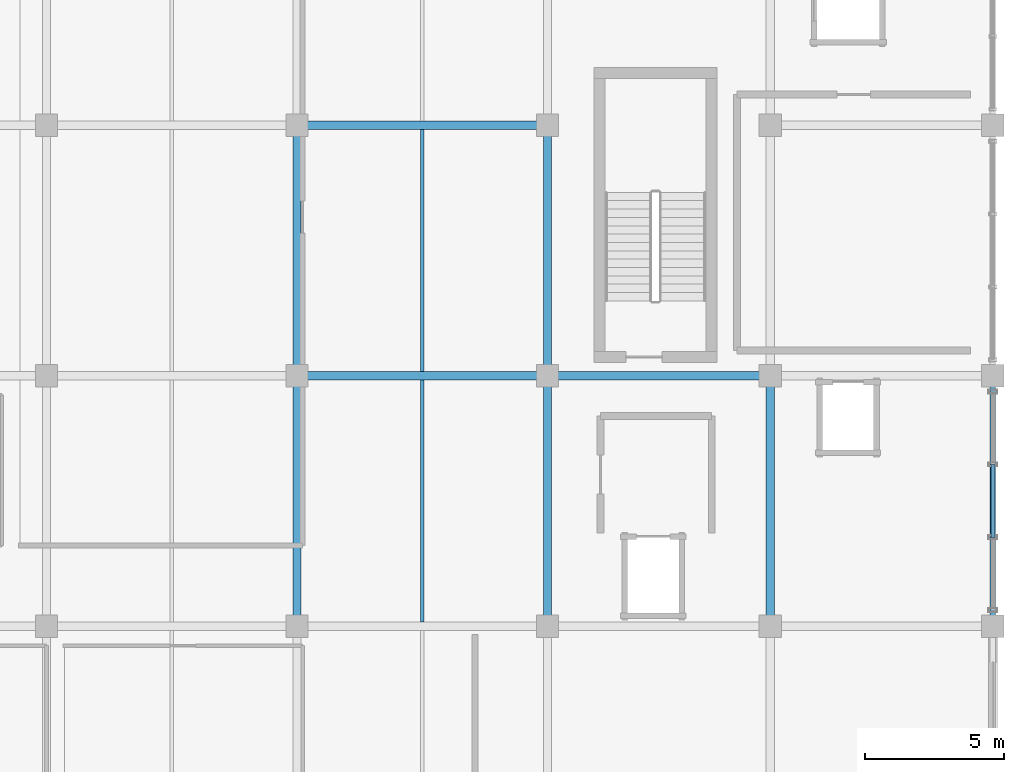
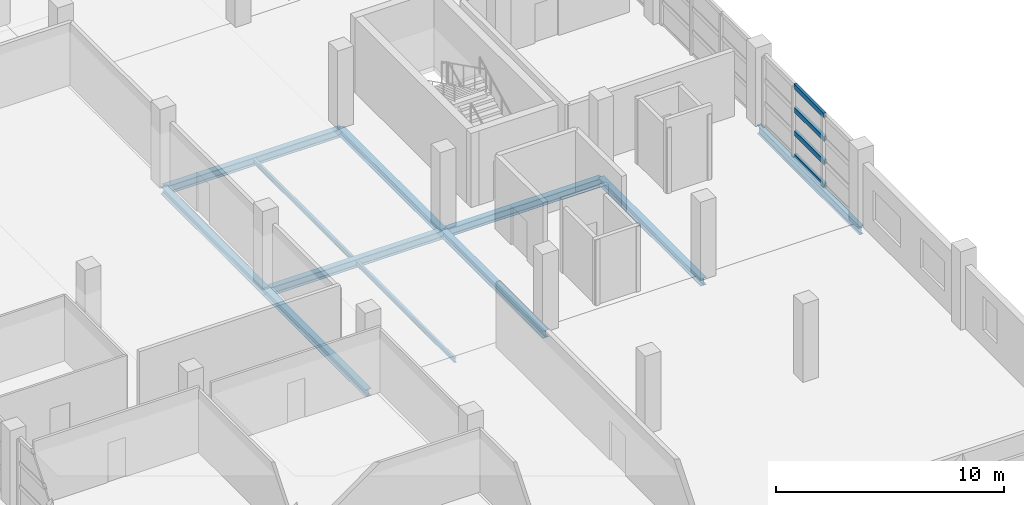
# One storey, part 84 of 136: 11 beams, 4 members, 1 element without a shape of its own.
"""IFC4 building model written with IfcOpenShell, lengths in metres."""

import ifcopenshell
import ifcopenshell.guid

model = None  # the IFC model being written
_history = None  # IfcOwnerHistory: only IFC2X3 demands one
_inside = {}  # id of a spatial element -> (the spatial element, [elements in it])
_under = {}  # id of a project, library or spatial element -> (it, [spatial elements below it])
_declared = {}  # id of a project -> (the project, [libraries it declares])
_typed = {}  # id of a type object -> (the type object, [elements of that type])
_made_of = {}  # id of a material, layer set ... -> (it, [elements and type objects made of it])


def new_model(schema):
    """Start an empty IFC model of exactly this schema.

    Asked for "IFC4X3", IfcOpenShell would pick the latest addendum, in which some entities
    have other attributes; the version numbers below select the first issue.
    IFC2X3 requires an IfcOwnerHistory on every rooted entity: one is made here for all.
    """
    global model, _history
    if schema == "IFC4X3":
        model = ifcopenshell.file(schema_version=(4, 3, 0, 0))
    else:
        model = ifcopenshell.file(schema=schema)
    _inside.clear()
    _under.clear()
    _declared.clear()
    _typed.clear()
    _made_of.clear()
    _history = None
    if model.schema == "IFC2X3":
        org = make("IfcOrganization", Name="unknown")
        user = make(
            "IfcPersonAndOrganization",
            ThePerson=make("IfcPerson", FamilyName="unknown"),
            TheOrganization=org,
        )
        app = make(
            "IfcApplication",
            ApplicationDeveloper=org,
            Version="unknown",
            ApplicationFullName="unknown",
            ApplicationIdentifier="unknown",
        )
        _history = make(
            "IfcOwnerHistory",
            OwningUser=user,
            OwningApplication=app,
            ChangeAction="ADDED",
            CreationDate=0,
        )
    return model


def make(cls, **values):
    """One entity of the class cls with the attributes given. An attribute that is None is left unset."""
    return model.create_entity(
        cls, **{name: value for name, value in values.items() if value is not None}
    )


def rooted(cls, **values):
    """An entity with a GlobalId (a new one), such as an element, a storey or a relation."""
    return make(cls, GlobalId=ifcopenshell.guid.new(), OwnerHistory=_history, **values)


def si_unit(unit_type, name, prefix=None):
    """IfcSIUnit, for example si_unit("LENGTHUNIT", "METRE", prefix="MILLI")."""
    return make("IfcSIUnit", UnitType=unit_type, Prefix=prefix, Name=name)


def assignment(units):
    """IfcUnitAssignment: the units of a project."""
    return None if units is None else make("IfcUnitAssignment", Units=units)


def point(xyz):
    """IfcCartesianPoint."""
    return None if xyz is None else make("IfcCartesianPoint", Coordinates=xyz)


def direction(xyz):
    """IfcDirection."""
    return None if xyz is None else make("IfcDirection", DirectionRatios=xyz)


def frame(location, z_axis=None, x_axis=None):
    """IfcAxis2Placement3D, a coordinate frame: its origin and axes. An axis left out is left unset."""
    return make(
        "IfcAxis2Placement3D",
        Location=point(location),
        Axis=direction(z_axis),
        RefDirection=direction(x_axis),
    )


def frame_2d(location, x_axis=None):
    """IfcAxis2Placement2D, a coordinate frame in the plane: its origin and x axis."""
    return make(
        "IfcAxis2Placement2D", Location=point(location), RefDirection=direction(x_axis)
    )


def origin():
    """The frame at (0, 0, 0) with its axes left unset."""
    return frame((0.0, 0.0, 0.0))


def origin_2d():
    """The frame at (0, 0) in the plane with its x axis left unset."""
    return frame_2d((0.0, 0.0))


def place(relative_to, where):
    """IfcLocalPlacement: puts the frame where relative to a parent placement (None: the world)."""
    return make(
        "IfcLocalPlacement", PlacementRelTo=relative_to, RelativePlacement=where
    )


def context(
    kind, dimensions, precision=None, world=None, true_north=None, identifier=None
):
    """IfcGeometricRepresentationContext, for example the 3D "Model" context."""
    return make(
        "IfcGeometricRepresentationContext",
        ContextIdentifier=identifier,
        ContextType=kind,
        CoordinateSpaceDimension=dimensions,
        Precision=precision,
        WorldCoordinateSystem=world,
        TrueNorth=true_north,
    )


def subcontext(parent, identifier, kind, view, scale=None):
    """IfcGeometricRepresentationSubContext, for example "Body" below "Model"."""
    return make(
        "IfcGeometricRepresentationSubContext",
        ContextIdentifier=identifier,
        ContextType=kind,
        ParentContext=parent,
        TargetScale=scale,
        TargetView=view,
    )


def project(units=None, contexts=None):
    """IfcProject with its units and contexts."""
    return rooted(
        "IfcProject",
        Name="project",
        RepresentationContexts=contexts,
        UnitsInContext=assignment(units),
    )


def spatial(cls, under=None, at=None, **own):
    """A site, building, storey or space (cls), placed at a placement, below another one or the project."""
    s = rooted(cls, ObjectPlacement=at, **own)
    if under is not None:
        _under.setdefault(under.id(), (under, []))[1].append(s)
    return s


def profile(cls, at=None, kind="AREA", **sizes):
    """A parametric profile (cls). Its sizes go by their IFC names, for example OverallWidth=200.0."""
    return make(cls, ProfileType=kind, Position=at, **sizes)


def hollow_rectangle(**sizes):
    """IfcRectangleHollowProfileDef."""
    return profile("IfcRectangleHollowProfileDef", **sizes)


def i_section(**sizes):
    """IfcIShapeProfileDef."""
    return profile("IfcIShapeProfileDef", **sizes)


def extrude(swept, where, along, depth):
    """IfcExtrudedAreaSolid: the profile swept, set in the frame where, extruded along a direction by depth."""
    return make(
        "IfcExtrudedAreaSolid",
        SweptArea=swept,
        Position=where,
        ExtrudedDirection=direction(along),
        Depth=depth,
    )


def shape(context_of_items, identifier, shape_type, items):
    """IfcShapeRepresentation: the items that make up one representation, for example the "Body"."""
    return make(
        "IfcShapeRepresentation",
        ContextOfItems=context_of_items,
        RepresentationIdentifier=identifier,
        RepresentationType=shape_type,
        Items=items,
    )


def material(Name=None, Category=None):
    """IfcMaterial."""
    return make("IfcMaterial", Name=Name, Category=Category)


def material_profile(
    of_material, cross_section, Name=None, Category=None, Priority=None
):
    """IfcMaterialProfile: a cross section and its material."""
    return make(
        "IfcMaterialProfile",
        Name=Name,
        Material=of_material,
        Profile=cross_section,
        Priority=Priority,
        Category=Category,
    )


def profile_set(profiles, Name=None, composite=None):
    """IfcMaterialProfileSet."""
    return make(
        "IfcMaterialProfileSet",
        Name=Name,
        MaterialProfiles=profiles,
        CompositeProfile=composite,
    )


def made_of(thing, what):
    """Note that an element or type object is made of a material, layer set ...; save() writes the relation."""
    if what is not None:
        _made_of.setdefault(what.id(), (what, []))[1].append(thing)
    return thing


def type_object(cls, material=None, **own):
    """A type object (cls), such as IfcWallType, which elements share."""
    return made_of(rooted(cls, **own), material)


def element(
    cls,
    number,
    at=None,
    inside=None,
    cuts=None,
    type_object=None,
    material=None,
    context=None,
    identifier="Body",
    shape_type=None,
    held_by="IfcProductDefinitionShape",
    body=None,
    shapes=None,
    **own,
):
    """One element of the class cls, such as IfcWall. Its Tag is "e" and its number.

    at: its placement. inside: the storey or other place that contains it. cuts: it is an
    opening in that element (IfcRelVoidsElement). A single representation is given by context,
    identifier, shape_type and body (its items); several are given by shapes. held_by: the class
    of the entity that holds the representations. save() writes the other relations.
    """
    e = rooted(cls, Tag="e%d" % number, ObjectPlacement=at, **own)
    if body is not None:
        shapes = [shape(context, identifier, shape_type, body)]
    if shapes is not None:
        e.Representation = make(held_by, Representations=shapes)
    if inside is not None:
        _inside.setdefault(inside.id(), (inside, []))[1].append(e)
    if cuts is not None:
        rooted(
            "IfcRelVoidsElement", RelatingBuildingElement=cuts, RelatedOpeningElement=e
        )
    if type_object is not None:
        _typed.setdefault(type_object.id(), (type_object, []))[1].append(e)
    return made_of(e, material)


def aggregate(whole, parts):
    """IfcRelAggregates: a whole, such as a stair, and the parts it consists of."""
    return rooted("IfcRelAggregates", RelatingObject=whole, RelatedObjects=parts)


def save(model, path):
    """Write the relations noted so far, then the file.

    IfcRelAggregates (storeys below a building ...), IfcRelContainedInSpatialStructure (elements
    in a storey), IfcRelDefinesByType, IfcRelAssociatesMaterial and IfcRelDeclares: one each for
    every whole, place, type object, material and project.
    """
    for whole, parts in _under.values():
        aggregate(whole, parts)
    for where, things in _inside.values():
        rooted(
            "IfcRelContainedInSpatialStructure",
            RelatedElements=things,
            RelatingStructure=where,
        )
    for kind, things in _typed.values():
        rooted("IfcRelDefinesByType", RelatedObjects=things, RelatingType=kind)
    for what, things in _made_of.values():
        rooted("IfcRelAssociatesMaterial", RelatedObjects=things, RelatingMaterial=what)
    for by, libraries in _declared.values():
        rooted("IfcRelDeclares", RelatingContext=by, RelatedDefinitions=libraries)
    model.write(path)


model = new_model("IFC4")

# Units and contexts
model_context = context("Model", 3, precision=1e-05, world=origin(), true_north=direction((0.0, 1.0)))
body_context = subcontext(model_context, "Body", "Model", "MODEL_VIEW")
ifc_project = project(units=[si_unit("LENGTHUNIT", "METRE"), si_unit("AREAUNIT", "SQUARE_METRE"), si_unit("VOLUMEUNIT", "CUBIC_METRE"), si_unit("PLANEANGLEUNIT", "RADIAN"), si_unit("MASSUNIT", "GRAM", prefix="KILO")], contexts=[model_context])

# Site, building, storey
site_placement = place(None, origin())
site = spatial("IfcSite", under=ifc_project, at=site_placement, CompositionType="ELEMENT")
building_placement = place(site_placement, origin())
building = spatial("IfcBuilding", under=site, at=building_placement, Name="Chuanluo Vaults Station", CompositionType="ELEMENT")
storey_placement = place(building_placement, frame((0.0, 0.0, 6.60009765625)))
storey = spatial("IfcBuildingStorey", under=building, at=storey_placement, Name="L01", CompositionType="ELEMENT", Elevation=6.60009765625)

# Beams
ifc_material_1 = material(Name="Steel Q355C", Category="steel")
ifc_material_profile_1 = material_profile(ifc_material_1, i_section(OverallWidth=0.300048828125, OverallDepth=0.389892578125, WebThickness=0.010009765625, FlangeThickness=0.01611328125, FilletRadius=0.02001953125, at=origin_2d()))
ifc_profile_set_1 = profile_set([ifc_material_profile_1], Name="Steel Q355C")
beam_type_1 = type_object("IfcBeamType", Name="BM-GRD-400", PredefinedType="BEAM", material=ifc_profile_set_1)
for number, where, z_axis, x_axis, name in (
    (1, (163.0, 76.5, -0.43505859375), (0.0, 1.0, 0.0), (-1.0, 0.0, 0.0), "Floor girder BM:GY:L01:0495"),
    (2, (163.0, 85.5, -0.43505859375), (0.0, 1.0, 0.0), (-1.0, 0.0, 0.0), "Floor girder BM:GY:L01:0496"),
    (3, (172.0, 76.5, -0.43505859375), (0.0, 1.0, 0.0), (-1.0, 0.0, 0.0), "Floor girder BM:GY:L01:0507"),
    (4, (172.0, 85.5, -0.43505859375), (0.0, 1.0, 0.0), (-1.0, 0.0, 0.0), "Floor girder BM:GY:L01:0508"),
    (5, (180.0, 76.5, -0.43505859375), (0.0, 1.0, 0.0), (-1.0, 0.0, 0.0), "Floor girder BM:GY:L01:0518"),
):
    element("IfcBeam", number, at=place(storey_placement, frame(where, z_axis=z_axis, x_axis=x_axis)), inside=storey, type_object=beam_type_1, Name=name, PredefinedType="BEAM", context=body_context, shape_type="SweptSolid", body=[
        extrude(i_section(OverallWidth=0.300048828125, OverallDepth=0.389892578125, WebThickness=0.010009765625, FlangeThickness=0.01611328125, FilletRadius=0.02001953125, at=origin_2d()), origin(), (0.0, 0.0, 1.0), 9.0),
    ])
ifc_material_2 = material(Name="Steel Q355C", Category="steel")
ifc_material_profile_2 = material_profile(ifc_material_2, i_section(OverallWidth=0.300048828125, OverallDepth=0.43994140625, WebThickness=0.010986328125, FlangeThickness=0.01806640625, FilletRadius=0.02001953125, at=origin_2d()))
ifc_profile_set_2 = profile_set([ifc_material_profile_2], Name="Steel Q355C")
beam_type_2 = type_object("IfcBeamType", Name="BM-GRD-450", PredefinedType="USERDEFINED", material=ifc_profile_set_2)
beam_1_placement = place(storey_placement, frame((163.0, 85.5, -0.460205078125), z_axis=(1.0, 0.0, 0.0), x_axis=(0.0, 1.0, 0.0)))
element("IfcBeam", 6, at=beam_1_placement, inside=storey, type_object=beam_type_2, Name="Floor girder BM:GX:L01:0354", ObjectType="GIRDER", PredefinedType="USERDEFINED", context=body_context, shape_type="SweptSolid", body=[
    extrude(i_section(OverallWidth=0.300048828125, OverallDepth=0.43994140625, WebThickness=0.010986328125, FlangeThickness=0.01806640625, FilletRadius=0.02001953125, at=origin_2d()), origin(), (0.0, 0.0, 1.0), 9.0),
])
beam_2_placement = place(storey_placement, frame((172.0, 85.5, -0.460205078125), z_axis=(1.0, 0.0, 0.0), x_axis=(0.0, 1.0, 0.0)))
element("IfcBeam", 7, at=beam_2_placement, inside=storey, type_object=beam_type_2, Name="Floor girder BM:GX:L01:0355", ObjectType="GIRDER", PredefinedType="USERDEFINED", context=body_context, shape_type="SweptSolid", body=[
    extrude(i_section(OverallWidth=0.300048828125, OverallDepth=0.43994140625, WebThickness=0.010986328125, FlangeThickness=0.01806640625, FilletRadius=0.02001953125, at=origin_2d()), origin(), (0.0, 0.0, 1.0), 8.0),
])
beam_3_placement = place(storey_placement, frame((163.0, 94.5, -0.460205078125), z_axis=(1.0, 0.0, 0.0), x_axis=(0.0, 1.0, 0.0)))
element("IfcBeam", 8, at=beam_3_placement, inside=storey, type_object=beam_type_2, Name="Floor girder BM:GX:L01:0360", ObjectType="GIRDER", PredefinedType="USERDEFINED", context=body_context, shape_type="SweptSolid", body=[
    extrude(i_section(OverallWidth=0.300048828125, OverallDepth=0.43994140625, WebThickness=0.010986328125, FlangeThickness=0.01806640625, FilletRadius=0.02001953125, at=origin_2d()), origin(), (0.0, 0.0, 1.0), 9.0),
])
ifc_material_3 = material(Name="Steel Q355C", Category="steel")
ifc_material_profile_3 = material_profile(ifc_material_3, i_section(OverallWidth=0.125, OverallDepth=0.25, WebThickness=0.006103515625, FlangeThickness=0.009033203125, FilletRadius=0.011962890625, at=origin_2d()))
ifc_profile_set_3 = profile_set([ifc_material_profile_3], Name="Steel Q355C")
beam_type_3 = type_object("IfcBeamType", Name="BM-SEC-250", PredefinedType="JOIST", material=ifc_profile_set_3)
for number, where, z_axis, x_axis, name in (
    (9, (167.5, 76.655029296875, -0.364990234375), (0.0, 1.0, 0.0), (-1.0, 0.0, 0.0), "Composite secondary joist 0182"),
    (10, (167.5, 85.655029296875, -0.364990234375), (0.0, 1.0, 0.0), (-1.0, 0.0, 0.0), "Composite secondary joist 0183"),
):
    element("IfcBeam", number, at=place(storey_placement, frame(where, z_axis=z_axis, x_axis=x_axis)), inside=storey, type_object=beam_type_3, Name=name, PredefinedType="JOIST", context=body_context, shape_type="SweptSolid", body=[
        extrude(i_section(OverallWidth=0.125, OverallDepth=0.25, WebThickness=0.006103515625, FlangeThickness=0.009033203125, FilletRadius=0.011962890625, at=origin_2d()), origin(), (0.0, 0.0, 1.0), 8.68994140625),
    ])
ifc_material_4 = material(Name="Steel Q355C", Category="steel")
ifc_material_profile_4 = material_profile(ifc_material_4, i_section(OverallWidth=0.205078125, OverallDepth=0.4599609375, WebThickness=0.009033203125, FlangeThickness=0.013916015625, FilletRadius=0.01611328125, at=origin_2d()))
ifc_profile_set_4 = profile_set([ifc_material_profile_4], Name="Steel Q355C")
beam_type_4 = type_object("IfcBeamType", Name="BM-SPN-450", PredefinedType="SPANDREL", material=ifc_profile_set_4)
beam_4_placement = place(storey_placement, frame((188.0, 76.5, -0.47021484375), z_axis=(0.0, 1.0, 0.0), x_axis=(-1.0, 0.0, 0.0)))
element("IfcBeam", 11, at=beam_4_placement, inside=storey, type_object=beam_type_4, Name="Floor girder BM:GY:L01:0530", PredefinedType="SPANDREL", context=body_context, shape_type="SweptSolid", body=[
    extrude(i_section(OverallWidth=0.205078125, OverallDepth=0.4599609375, WebThickness=0.009033203125, FlangeThickness=0.013916015625, FilletRadius=0.01611328125, at=origin_2d()), origin(), (0.0, 0.0, 1.0), 9.0),
])

# Curtain wall, members
ifc_material_5 = material(Name="Anodised aluminium 6063-T6", Category="aluminium")
curtain_wall_type = type_object("IfcCurtainWallType", Name="CW-SYS-25", PredefinedType="NOTDEFINED", material=ifc_material_5)
curtain_wall_placement = place(storey_placement, origin())
curtain_wall = element("IfcCurtainWall", 12, at=curtain_wall_placement, inside=storey, type_object=curtain_wall_type, Name="Operations L01 facade CW", PredefinedType="NOTDEFINED")
ifc_material_6 = material(Name="Anodised aluminium 6063-T6", Category="aluminium")
ifc_material_profile_5 = material_profile(ifc_material_6, hollow_rectangle(XDim=0.139892578125, YDim=0.260009765625, WallThickness=0.007080078125, at=origin_2d()))
ifc_profile_set_5 = profile_set([ifc_material_profile_5], Name="Anodised aluminium 6063-T6")
member_type = type_object("IfcMemberType", Name="CWT-180", PredefinedType="USERDEFINED", material=ifc_profile_set_5)
member_1_placement = place(storey_placement, frame((188.0, 82.308349609375, 0.0), z_axis=(0.0, -1.0, 0.0), x_axis=(1.0, 0.0, 0.0)))
member_1 = element("IfcMember", 13, at=member_1_placement, type_object=member_type, Name="Operations L01 facade CW transom 2.1", ObjectType="TRANSOM", PredefinedType="USERDEFINED", context=body_context, shape_type="SweptSolid", body=[
    extrude(hollow_rectangle(XDim=0.139892578125, YDim=0.260009765625, WallThickness=0.007080078125, at=origin_2d()), origin(), (0.0, 0.0, 1.0), 2.61669921875),
])
member_2_placement = place(storey_placement, frame((188.0, 82.308349609375, 1.25), z_axis=(0.0, -1.0, 0.0), x_axis=(1.0, 0.0, 0.0)))
member_2 = element("IfcMember", 14, at=member_2_placement, type_object=member_type, Name="Operations L01 facade CW transom 2.2", ObjectType="TRANSOM", PredefinedType="USERDEFINED", context=body_context, shape_type="SweptSolid", body=[
    extrude(hollow_rectangle(XDim=0.139892578125, YDim=0.260009765625, WallThickness=0.007080078125, at=origin_2d()), origin(), (0.0, 0.0, 1.0), 2.61669921875),
])
member_3_placement = place(storey_placement, frame((188.0, 82.308349609375, 2.5), z_axis=(0.0, -1.0, 0.0), x_axis=(1.0, 0.0, 0.0)))
member_3 = element("IfcMember", 15, at=member_3_placement, type_object=member_type, Name="Operations L01 facade CW transom 2.3", ObjectType="TRANSOM", PredefinedType="USERDEFINED", context=body_context, shape_type="SweptSolid", body=[
    extrude(hollow_rectangle(XDim=0.139892578125, YDim=0.260009765625, WallThickness=0.007080078125, at=origin_2d()), origin(), (0.0, 0.0, 1.0), 2.61669921875),
])
member_4_placement = place(storey_placement, frame((188.0, 82.308349609375, 3.75), z_axis=(0.0, -1.0, 0.0), x_axis=(1.0, 0.0, 0.0)))
member_4 = element("IfcMember", 16, at=member_4_placement, type_object=member_type, Name="Operations L01 facade CW transom 2.4", ObjectType="TRANSOM", PredefinedType="USERDEFINED", context=body_context, shape_type="SweptSolid", body=[
    extrude(hollow_rectangle(XDim=0.139892578125, YDim=0.260009765625, WallThickness=0.007080078125, at=origin_2d()), origin(), (0.0, 0.0, 1.0), 2.61669921875),
])
aggregate(curtain_wall, [member_1, member_2, member_3, member_4])

save(model, "model.ifc")
